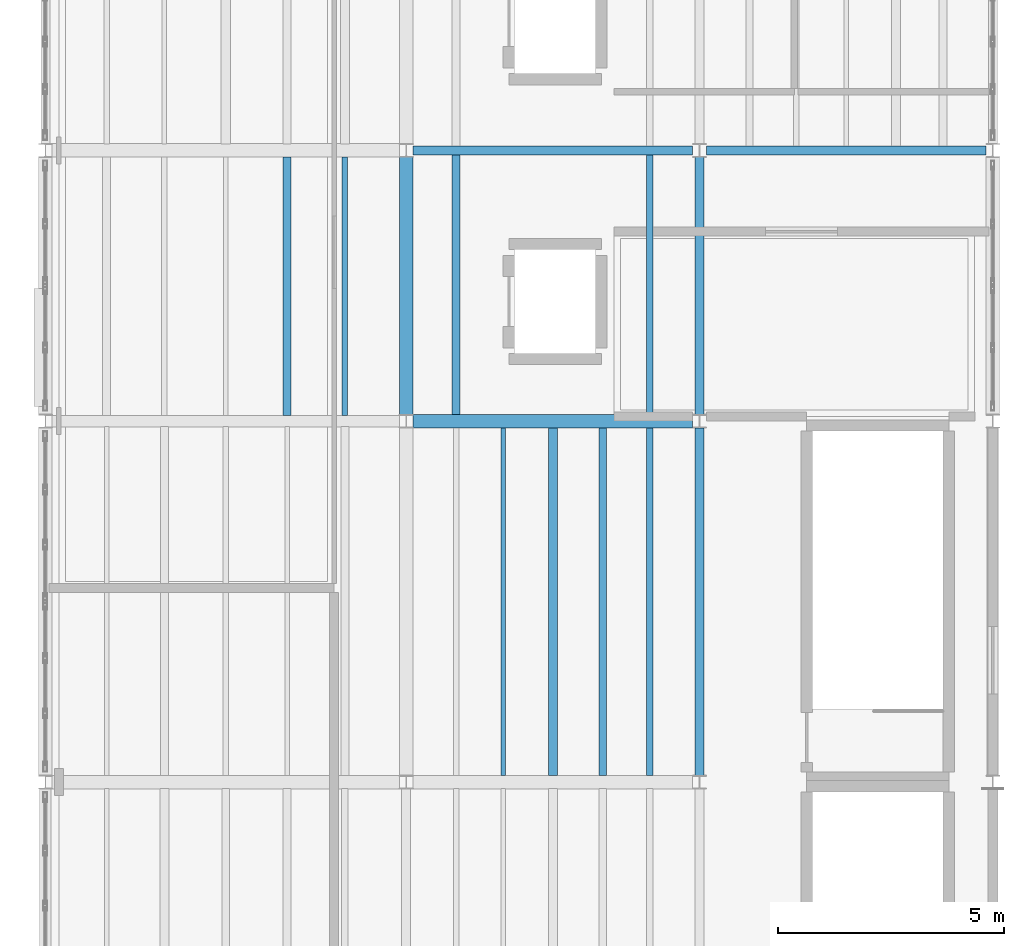
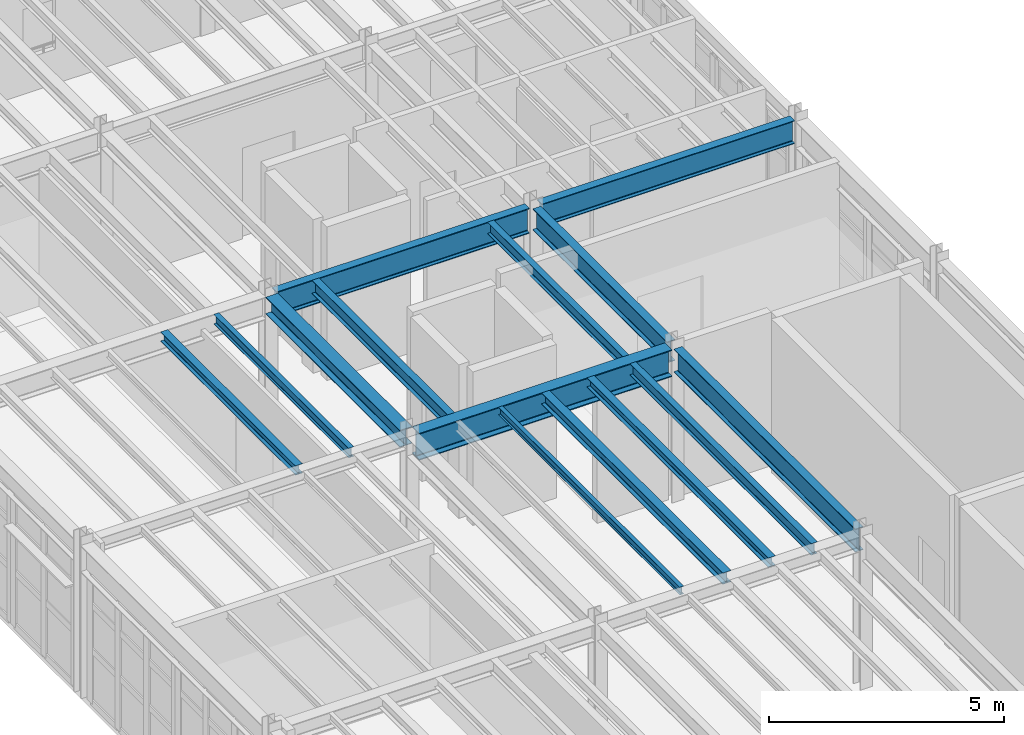
# One storey, part 8 of 27: 14 beams.
"""IFC4 building model written with IfcOpenShell, lengths in metres."""

from ifc_helpers import new_model, si_unit, direction, frame, origin, origin_2d, place, context, subcontext, project, spatial, i_section, extrude, material, material_profile, profile_set, type_object, element, save


model = new_model("IFC4")

# Units and contexts
model_context = context("Model", 3, precision=1e-05, world=origin(), true_north=direction((0.0, 1.0)))
body_context = subcontext(model_context, "Body", "Model", "MODEL_VIEW")
ifc_project = project(units=[si_unit("LENGTHUNIT", "METRE"), si_unit("AREAUNIT", "SQUARE_METRE"), si_unit("VOLUMEUNIT", "CUBIC_METRE"), si_unit("PLANEANGLEUNIT", "RADIAN"), si_unit("MASSUNIT", "GRAM", prefix="KILO"), si_unit("THERMODYNAMICTEMPERATUREUNIT", "KELVIN"), si_unit("POWERUNIT", "WATT")], contexts=[model_context])

# Site, building, storey
site_placement = place(None, origin())
site = spatial("IfcSite", under=ifc_project, at=site_placement, CompositionType="ELEMENT")
building_placement = place(site_placement, origin())
building = spatial("IfcBuilding", under=site, at=building_placement, Name="Zhenchuan Central Fire Station", CompositionType="ELEMENT")
storey_placement = place(building_placement, frame((0.0, 0.0, 14.25)))
storey = spatial("IfcBuildingStorey", under=building, at=storey_placement, Name="L04", CompositionType="ELEMENT", Elevation=14.25)

# Beams
ifc_material = material(Name="Steel Q355B", Category="steel")
ifc_material_profile_1 = material_profile(ifc_material, i_section(OverallWidth=0.300048828125, OverallDepth=0.43994140625, WebThickness=0.010986328125, FlangeThickness=0.01806640625, FilletRadius=0.02197265625, at=origin_2d()), Name="HM 440x300")
ifc_profile_set_1 = profile_set([ifc_material_profile_1], Name="Steel Q355B")
beam_type_1 = type_object("IfcBeamType", Name="BM-HM440-INT", PredefinedType="BEAM", material=ifc_profile_set_1)
beam_1_placement = place(storey_placement, frame((148.0, 22.64990234375, 3.760009765625), z_axis=(0.0, 1.0, 0.0), x_axis=(-1.0, 0.0, 0.0)))
element("IfcBeam", 1, at=beam_1_placement, inside=storey, type_object=beam_type_1, Name="L05 Girder NS 0469", PredefinedType="BEAM", context=body_context, shape_type="SweptSolid", body=[
    extrude(i_section(OverallWidth=0.300048828125, OverallDepth=0.43994140625, WebThickness=0.010986328125, FlangeThickness=0.01806640625, FilletRadius=0.02197265625, at=origin_2d()), origin(), (0.0, 0.0, 1.0), 5.7001953125),
])
ifc_material_profile_2 = material_profile(ifc_material, i_section(OverallWidth=0.199951171875, OverallDepth=0.550048828125, WebThickness=0.010009765625, FlangeThickness=0.01611328125, FilletRadius=0.02001953125, at=origin_2d()), Name="HN 550x200")
ifc_profile_set_2 = profile_set([ifc_material_profile_2], Name="Steel Q355B")
beam_type_2 = type_object("IfcBeamType", Name="BM-HN550-INT", PredefinedType="BEAM", material=ifc_profile_set_2)
beam_2_placement = place(storey_placement, frame((154.5, 22.64990234375, 3.705078125), z_axis=(0.0, 1.0, 0.0), x_axis=(-1.0, 0.0, 0.0)))
element("IfcBeam", 2, at=beam_2_placement, inside=storey, type_object=beam_type_2, Name="L05 Girder NS 0476", PredefinedType="BEAM", context=body_context, shape_type="SweptSolid", body=[
    extrude(i_section(OverallWidth=0.199951171875, OverallDepth=0.550048828125, WebThickness=0.010009765625, FlangeThickness=0.01611328125, FilletRadius=0.02001953125, at=origin_2d()), origin(), (0.0, 0.0, 1.0), 5.7001953125),
])
ifc_material_profile_3 = material_profile(ifc_material, i_section(OverallWidth=0.199951171875, OverallDepth=0.60009765625, WebThickness=0.010986328125, FlangeThickness=0.01708984375, FilletRadius=0.02197265625, at=origin_2d()), Name="HN 600x200")
ifc_profile_set_3 = profile_set([ifc_material_profile_3], Name="Steel Q355B")
beam_type_3 = type_object("IfcBeamType", Name="BM-HN600-INT", PredefinedType="BEAM", material=ifc_profile_set_3)
beam_3_placement = place(storey_placement, frame((154.64990234375, 28.5, 3.679931640625), z_axis=(1.0, 0.0, 0.0), x_axis=(0.0, 1.0, 0.0)))
element("IfcBeam", 3, at=beam_3_placement, inside=storey, type_object=beam_type_3, Name="L05 Girder EW 0442", PredefinedType="BEAM", context=body_context, shape_type="SweptSolid", body=[
    extrude(i_section(OverallWidth=0.199951171875, OverallDepth=0.60009765625, WebThickness=0.010986328125, FlangeThickness=0.01708984375, FilletRadius=0.02197265625, at=origin_2d()), origin(), (0.0, 0.0, 1.0), 6.2001953125),
])
beam_4_placement = place(storey_placement, frame((154.5, 14.64990234375, 3.679931640625), z_axis=(0.0, 1.0, 0.0), x_axis=(-1.0, 0.0, 0.0)))
element("IfcBeam", 4, at=beam_4_placement, inside=storey, type_object=beam_type_3, Name="L05 Girder NS 0475", PredefinedType="BEAM", context=body_context, shape_type="SweptSolid", body=[
    extrude(i_section(OverallWidth=0.199951171875, OverallDepth=0.60009765625, WebThickness=0.010986328125, FlangeThickness=0.01708984375, FilletRadius=0.02197265625, at=origin_2d()), origin(), (0.0, 0.0, 1.0), 7.7001953125),
])
ifc_material_profile_4 = material_profile(ifc_material, i_section(OverallWidth=0.199951171875, OverallDepth=0.64990234375, WebThickness=0.011962890625, FlangeThickness=0.02001953125, FilletRadius=0.02197265625, at=origin_2d()), Name="HN 650x200")
ifc_profile_set_4 = profile_set([ifc_material_profile_4], Name="Steel Q355B")
beam_type_4 = type_object("IfcBeamType", Name="BM-HN650", PredefinedType="BEAM", material=ifc_profile_set_4)
beam_5_placement = place(storey_placement, frame((148.14990234375, 28.5, 3.655029296875), z_axis=(1.0, 0.0, 0.0), x_axis=(0.0, 1.0, 0.0)))
element("IfcBeam", 5, at=beam_5_placement, inside=storey, type_object=beam_type_4, Name="L05 Girder EW 0441", PredefinedType="BEAM", context=body_context, shape_type="SweptSolid", body=[
    extrude(i_section(OverallWidth=0.199951171875, OverallDepth=0.64990234375, WebThickness=0.011962890625, FlangeThickness=0.02001953125, FilletRadius=0.02197265625, at=origin_2d()), origin(), (0.0, 0.0, 1.0), 6.2001953125),
])
ifc_material_profile_5 = material_profile(ifc_material, i_section(OverallWidth=0.300048828125, OverallDepth=0.699951171875, WebThickness=0.012939453125, FlangeThickness=0.02392578125, FilletRadius=0.02392578125, at=origin_2d()), Name="HN 700x300")
ifc_profile_set_5 = profile_set([ifc_material_profile_5], Name="Steel Q355B")
beam_type_5 = type_object("IfcBeamType", Name="BM-HN700", PredefinedType="BEAM", material=ifc_profile_set_5)
beam_6_placement = place(storey_placement, frame((148.14990234375, 22.5, 3.6298828125), z_axis=(1.0, 0.0, 0.0), x_axis=(0.0, 1.0, 0.0)))
element("IfcBeam", 6, at=beam_6_placement, inside=storey, type_object=beam_type_5, Name="L05 Girder EW 0439", PredefinedType="BEAM", context=body_context, shape_type="SweptSolid", body=[
    extrude(i_section(OverallWidth=0.300048828125, OverallDepth=0.699951171875, WebThickness=0.012939453125, FlangeThickness=0.02392578125, FilletRadius=0.02392578125, at=origin_2d()), origin(), (0.0, 0.0, 1.0), 6.2001953125),
])
ifc_material_profile_6 = material_profile(ifc_material, i_section(OverallWidth=0.175048828125, OverallDepth=0.243896484375, WebThickness=0.007080078125, FlangeThickness=0.010986328125, FilletRadius=0.012939453125, at=origin_2d()), Name="HM 244x175")
ifc_profile_set_6 = profile_set([ifc_material_profile_6], Name="Steel Q355B")
beam_type_6 = type_object("IfcBeamType", Name="JS-HM244", PredefinedType="JOIST", material=ifc_profile_set_6)
beam_7_placement = place(storey_placement, frame((152.35498046875, 14.64697265625, 3.85791015625), z_axis=(0.0, 1.0, 0.0), x_axis=(-1.0, 0.0, 0.0)))
element("IfcBeam", 7, at=beam_7_placement, inside=storey, type_object=beam_type_6, Name="L05 Secondary Joist 0730", PredefinedType="JOIST", context=body_context, shape_type="SweptSolid", body=[
    extrude(i_section(OverallWidth=0.175048828125, OverallDepth=0.243896484375, WebThickness=0.007080078125, FlangeThickness=0.010986328125, FilletRadius=0.012939453125, at=origin_2d()), origin(), (0.0, 0.0, 1.0), 7.7060546875),
])
beam_8_placement = place(storey_placement, frame((145.360107421875, 22.6220703125, 3.85791015625), z_axis=(0.0, 1.0, 0.0), x_axis=(-1.0, 0.0, 0.0)))
element("IfcBeam", 8, at=beam_8_placement, inside=storey, type_object=beam_type_6, Name="L05 Secondary Joist 0735", PredefinedType="JOIST", context=body_context, shape_type="SweptSolid", body=[
    extrude(i_section(OverallWidth=0.175048828125, OverallDepth=0.243896484375, WebThickness=0.007080078125, FlangeThickness=0.010986328125, FilletRadius=0.012939453125, at=origin_2d()), origin(), (0.0, 0.0, 1.0), 5.73095703125),
])
ifc_material_profile_7 = material_profile(ifc_material, i_section(OverallWidth=0.199951171875, OverallDepth=0.2939453125, WebThickness=0.008056640625, FlangeThickness=0.011962890625, FilletRadius=0.01611328125, at=origin_2d()), Name="HM 294x200")
ifc_profile_set_7 = profile_set([ifc_material_profile_7], Name="Steel Q355B")
beam_type_7 = type_object("IfcBeamType", Name="JS-HM294", PredefinedType="JOIST", material=ifc_profile_set_7)
beam_9_placement = place(storey_placement, frame((151.25, 14.64697265625, 3.8330078125), z_axis=(0.0, 1.0, 0.0), x_axis=(-1.0, 0.0, 0.0)))
element("IfcBeam", 9, at=beam_9_placement, inside=storey, type_object=beam_type_7, Name="L05 Secondary Joist 0729", PredefinedType="JOIST", context=body_context, shape_type="SweptSolid", body=[
    extrude(i_section(OverallWidth=0.199951171875, OverallDepth=0.2939453125, WebThickness=0.008056640625, FlangeThickness=0.011962890625, FilletRadius=0.01611328125, at=origin_2d()), origin(), (0.0, 0.0, 1.0), 7.7060546875),
])
ifc_material_profile_8 = material_profile(ifc_material, i_section(OverallWidth=0.10009765625, OverallDepth=0.199951171875, WebThickness=0.005615234375, FlangeThickness=0.008056640625, FilletRadius=0.010986328125, at=origin_2d()), Name="HN 200x100")
ifc_profile_set_8 = profile_set([ifc_material_profile_8], Name="Steel Q355B")
beam_type_8 = type_object("IfcBeamType", Name="JS-HN200", PredefinedType="JOIST", material=ifc_profile_set_8)
beam_10_placement = place(storey_placement, frame((150.14501953125, 14.64697265625, 3.8798828125), z_axis=(0.0, 1.0, 0.0), x_axis=(-1.0, 0.0, 0.0)))
element("IfcBeam", 10, at=beam_10_placement, inside=storey, type_object=beam_type_8, Name="L05 Secondary Joist 0728", PredefinedType="JOIST", context=body_context, shape_type="SweptSolid", body=[
    extrude(i_section(OverallWidth=0.10009765625, OverallDepth=0.199951171875, WebThickness=0.005615234375, FlangeThickness=0.008056640625, FilletRadius=0.010986328125, at=origin_2d()), origin(), (0.0, 0.0, 1.0), 7.7060546875),
])
ifc_material_profile_9 = material_profile(ifc_material, i_section(OverallWidth=0.125, OverallDepth=0.25, WebThickness=0.006103515625, FlangeThickness=0.009033203125, FilletRadius=0.011962890625, at=origin_2d()), Name="HN 250x125")
ifc_profile_set_9 = profile_set([ifc_material_profile_9], Name="Steel Q355B")
beam_type_9 = type_object("IfcBeamType", Name="JS-HN250", PredefinedType="JOIST", material=ifc_profile_set_9)
beam_11_placement = place(storey_placement, frame((146.639892578125, 22.6220703125, 3.85498046875), z_axis=(0.0, 1.0, 0.0), x_axis=(-1.0, 0.0, 0.0)))
element("IfcBeam", 11, at=beam_11_placement, inside=storey, type_object=beam_type_9, Name="L05 Secondary Joist 0736", PredefinedType="JOIST", context=body_context, shape_type="SweptSolid", body=[
    extrude(i_section(OverallWidth=0.125, OverallDepth=0.25, WebThickness=0.006103515625, FlangeThickness=0.009033203125, FilletRadius=0.011962890625, at=origin_2d()), origin(), (0.0, 0.0, 1.0), 5.73095703125),
])
ifc_material_profile_10 = material_profile(ifc_material, i_section(OverallWidth=0.14990234375, OverallDepth=0.300048828125, WebThickness=0.006591796875, FlangeThickness=0.009033203125, FilletRadius=0.012939453125, at=origin_2d()), Name="HN 300x150")
ifc_profile_set_10 = profile_set([ifc_material_profile_10], Name="Steel Q355B")
beam_type_10 = type_object("IfcBeamType", Name="JS-HN300", PredefinedType="JOIST", material=ifc_profile_set_10)
beam_12_placement = place(storey_placement, frame((153.39501953125, 14.64697265625, 3.830078125), z_axis=(0.0, 1.0, 0.0), x_axis=(-1.0, 0.0, 0.0)))
element("IfcBeam", 12, at=beam_12_placement, inside=storey, type_object=beam_type_10, Name="L05 Secondary Joist 0731", PredefinedType="JOIST", context=body_context, shape_type="SweptSolid", body=[
    extrude(i_section(OverallWidth=0.14990234375, OverallDepth=0.300048828125, WebThickness=0.006591796875, FlangeThickness=0.009033203125, FilletRadius=0.012939453125, at=origin_2d()), origin(), (0.0, 0.0, 1.0), 7.7060546875),
])
beam_13_placement = place(storey_placement, frame((153.39501953125, 22.64697265625, 3.830078125), z_axis=(0.0, 1.0, 0.0), x_axis=(-1.0, 0.0, 0.0)))
element("IfcBeam", 13, at=beam_13_placement, inside=storey, type_object=beam_type_10, Name="L05 Secondary Joist 0738", PredefinedType="JOIST", context=body_context, shape_type="SweptSolid", body=[
    extrude(i_section(OverallWidth=0.14990234375, OverallDepth=0.300048828125, WebThickness=0.006591796875, FlangeThickness=0.009033203125, FilletRadius=0.012939453125, at=origin_2d()), origin(), (0.0, 0.0, 1.0), 5.756103515625),
])
ifc_material_profile_11 = material_profile(ifc_material, i_section(OverallWidth=0.175048828125, OverallDepth=0.35009765625, WebThickness=0.007080078125, FlangeThickness=0.010986328125, FilletRadius=0.013916015625, at=origin_2d()), Name="HN 350x175")
ifc_profile_set_11 = profile_set([ifc_material_profile_11], Name="Steel Q355B")
beam_type_11 = type_object("IfcBeamType", Name="JS-HN350", PredefinedType="JOIST", material=ifc_profile_set_11)
beam_14_placement = place(storey_placement, frame((149.10498046875, 22.64697265625, 3.804931640625), z_axis=(0.0, 1.0, 0.0), x_axis=(-1.0, 0.0, 0.0)))
element("IfcBeam", 14, at=beam_14_placement, inside=storey, type_object=beam_type_11, Name="L05 Secondary Joist 0737", PredefinedType="JOIST", context=body_context, shape_type="SweptSolid", body=[
    extrude(i_section(OverallWidth=0.175048828125, OverallDepth=0.35009765625, WebThickness=0.007080078125, FlangeThickness=0.010986328125, FilletRadius=0.013916015625, at=origin_2d()), origin(), (0.0, 0.0, 1.0), 5.756103515625),
])

save(model, "model.ifc")
